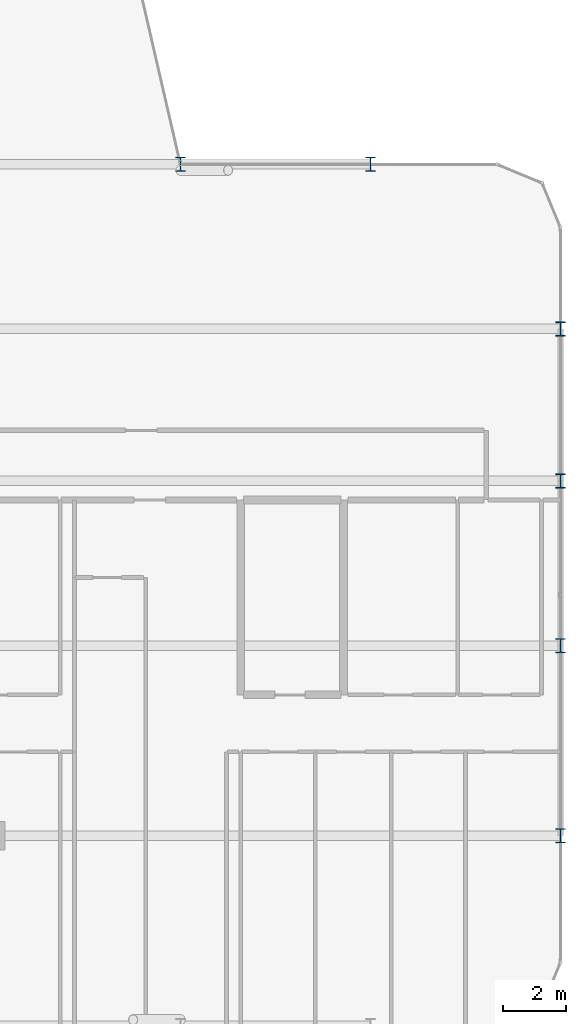
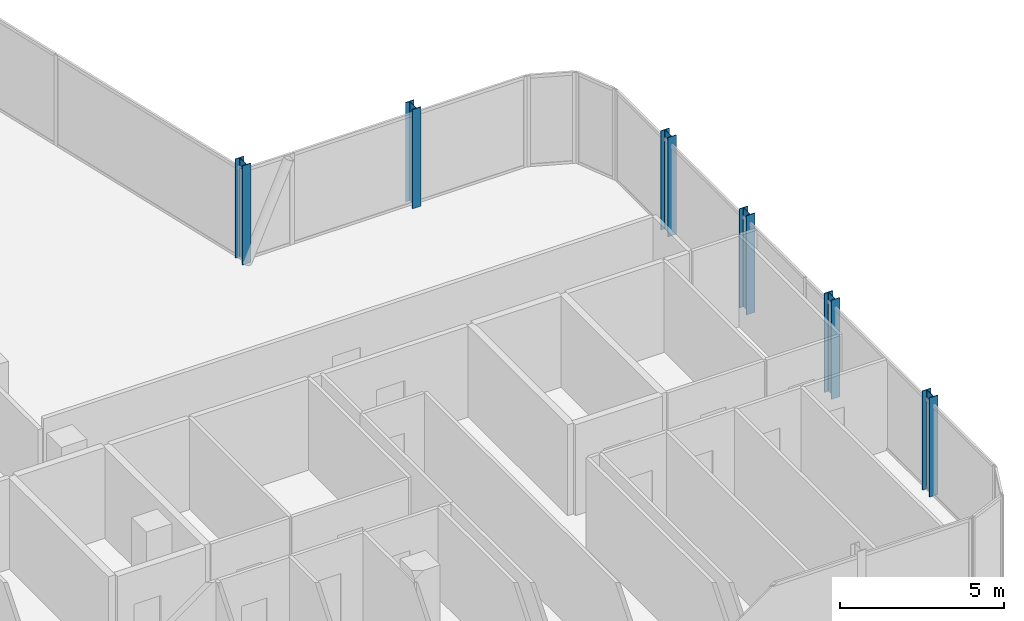
# One storey, part 2 of 29: 6 columns.
"""IFC4 building model written with IfcOpenShell, lengths in metres."""

from ifc_helpers import new_model, si_unit, direction, frame, origin, origin_2d, place, context, subcontext, project, spatial, i_section, extrude, material, material_profile, profile_set, type_object, element, save


model = new_model("IFC4")

# Units and contexts
model_context = context("Model", 3, precision=1e-05, world=origin(), true_north=direction((0.0, 1.0)))
body_context = subcontext(model_context, "Body", "Model", "MODEL_VIEW")
ifc_project = project(units=[si_unit("LENGTHUNIT", "METRE"), si_unit("AREAUNIT", "SQUARE_METRE"), si_unit("VOLUMEUNIT", "CUBIC_METRE"), si_unit("PLANEANGLEUNIT", "RADIAN"), si_unit("MASSUNIT", "GRAM", prefix="KILO")], contexts=[model_context])

# Site, building, storey
site_placement = place(None, origin())
site = spatial("IfcSite", under=ifc_project, at=site_placement, CompositionType="ELEMENT")
building_placement = place(site_placement, origin())
building = spatial("IfcBuilding", under=site, at=building_placement, Name="Keshet Zoharim Tower", CompositionType="ELEMENT")
storey_placement = place(building_placement, frame((0.0, 0.0, 169.10009765625)))
storey = spatial("IfcBuildingStorey", under=building, at=storey_placement, Name="L41", CompositionType="ELEMENT", Elevation=169.10009765625)

# Columns
ifc_material = material(Name="Steel S355", Category="steel")
ifc_material_profile = material_profile(ifc_material, i_section(OverallWidth=0.300048828125, OverallDepth=0.449951171875, WebThickness=0.013916015625, FlangeThickness=0.02587890625, FilletRadius=0.027099609375, at=origin_2d()), Name="HEB450")
ifc_profile_set = profile_set([ifc_material_profile], Name="Steel S355")
column_type = type_object("IfcColumnType", Name="COL-HEB450", PredefinedType="COLUMN", material=ifc_profile_set)
for number, where, z_axis, x_axis, name in (
    (1, (45.0, 27.89990234375, 0.0), (0.0, 0.0, 1.0), (1.0, 0.0, 0.0), "L41 Column 8F"),
    (2, (51.0, 27.89990234375, 0.0), (0.0, 0.0, 1.0), (1.0, 0.0, 0.0), "L41 Column 9F"),
    (3, (57.0, 6.699951171875, 0.0), (0.0, 0.0, 1.0), (1.0, 0.0, 0.0), "L41 Column 10B"),
    (4, (57.0, 12.699951171875, 0.0), (0.0, 0.0, 1.0), (1.0, 0.0, 0.0), "L41 Column 10C"),
    (5, (57.0, 17.89990234375, 0.0), (0.0, 0.0, 1.0), (1.0, 0.0, 0.0), "L41 Column 10D"),
    (6, (57.0, 22.699951171875, 0.0), (0.0, 0.0, 1.0), (1.0, 0.0, 0.0), "L41 Column 10E"),
):
    element("IfcColumn", number, at=place(storey_placement, frame(where, z_axis=z_axis, x_axis=x_axis)), inside=storey, type_object=column_type, Name=name, PredefinedType="COLUMN", context=body_context, shape_type="SweptSolid", body=[
        extrude(i_section(OverallWidth=0.300048828125, OverallDepth=0.449951171875, WebThickness=0.013916015625, FlangeThickness=0.02587890625, FilletRadius=0.027099609375, at=origin_2d()), origin(), (0.0, 0.0, 1.0), 3.699951171875),
    ])

save(model, "model.ifc")
